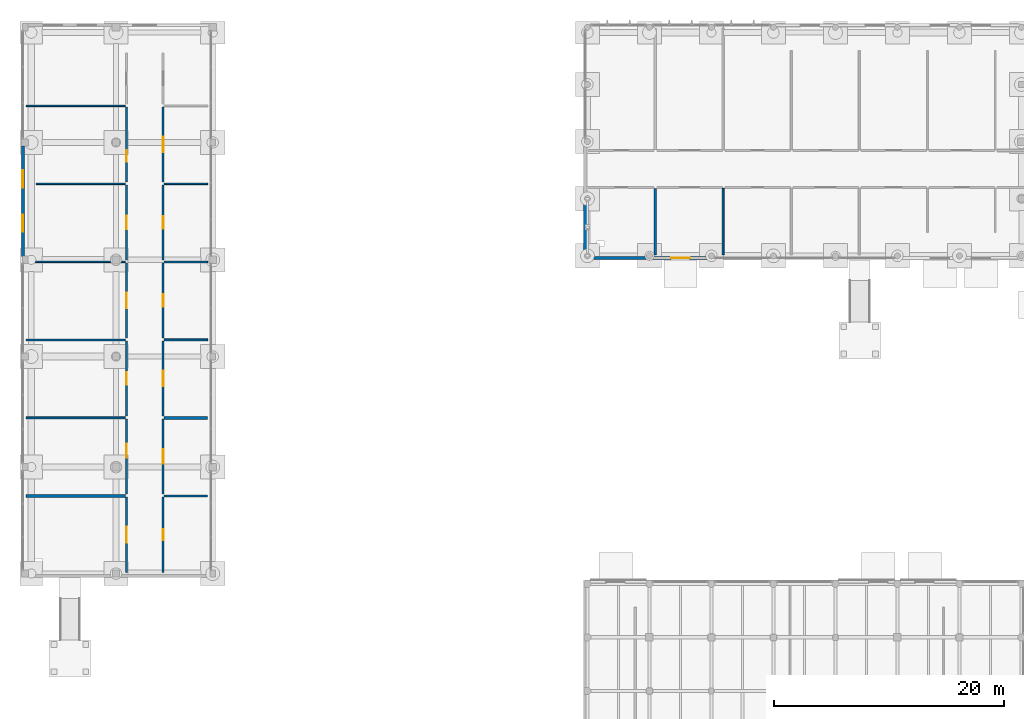
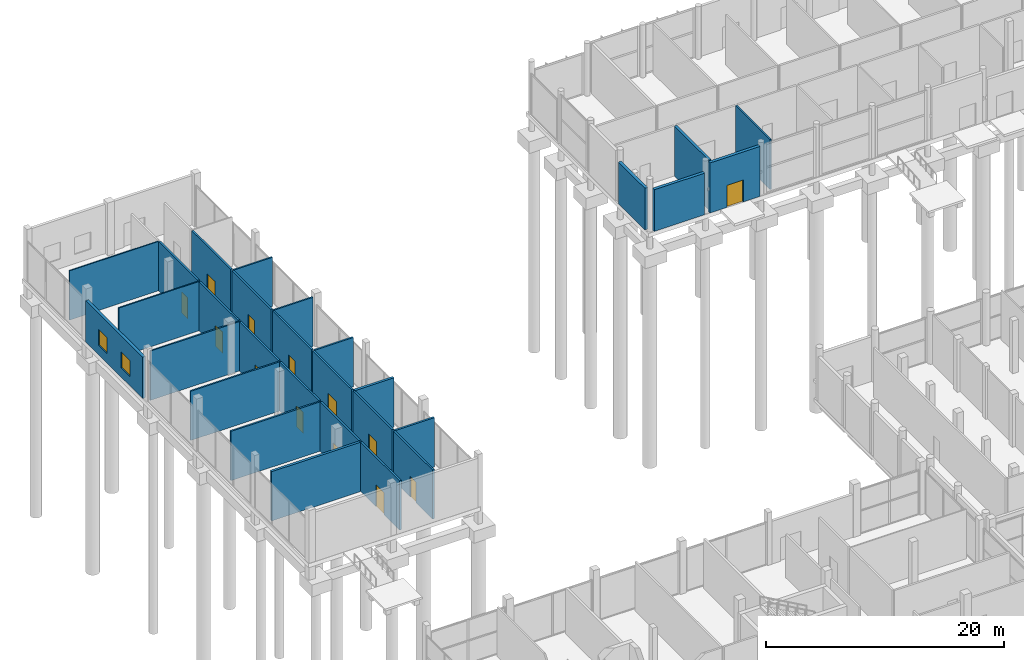
# One storey, part 63 of 88: 29 walls, 13 doors, 2 windows, 15 openings.
"""IFC4 building model written with IfcOpenShell, lengths in metres."""

from ifc_helpers import new_model, si_unit, direction, frame, frame_2d, origin, place, context, subcontext, project, spatial, rectangle, extrude, material, layer, layer_set, type_object, element, fill, save


model = new_model("IFC4")

# Units and contexts
model_context = context("Model", 3, precision=1e-05, world=origin(), true_north=direction((0.0, 1.0)))
body_context = subcontext(model_context, "Body", "Model", "MODEL_VIEW")
ifc_project = project(units=[si_unit("LENGTHUNIT", "METRE"), si_unit("AREAUNIT", "SQUARE_METRE"), si_unit("VOLUMEUNIT", "CUBIC_METRE"), si_unit("PLANEANGLEUNIT", "RADIAN"), si_unit("MASSUNIT", "GRAM", prefix="KILO")], contexts=[model_context])

# Site, building, storey
site_placement = place(None, origin())
site = spatial("IfcSite", under=ifc_project, at=site_placement, CompositionType="ELEMENT")
building_placement = place(site_placement, origin())
building = spatial("IfcBuilding", under=site, at=building_placement, Name="Birchvale Park Specialist Clinic", CompositionType="ELEMENT")
storey_placement = place(building_placement, origin())
storey = spatial("IfcBuildingStorey", under=building, at=storey_placement, Name="L00", CompositionType="ELEMENT", Elevation=0.0)

# Wall
ifc_material_1 = material(Name="Lime-white mineral-rendered insulated masonry", Category="masonry")
ifc_layer_1 = layer(ifc_material_1, 0.2900390625)
ifc_layer_set_1 = layer_set([ifc_layer_1], Name="Lime-white mineral-rendered insulated masonry")
wall_type_1 = type_object("IfcWallType", Name="WL-EW-03", PredefinedType="STANDARD", material=ifc_layer_set_1)
wall_1_placement = place(storey_placement, frame((52.405029296875, 91.364990234375, 0.0), z_axis=(0.0, 0.0, 1.0), x_axis=(1.0, 0.0, 0.0)))
element("IfcWall", 1, at=wall_1_placement, inside=storey, type_object=wall_type_1, Name="V3 L00 exterior facade wall 50", PredefinedType="STANDARD", context=body_context, shape_type="SweptSolid", body=[
    extrude(rectangle(XDim=4.875732421875, YDim=0.2900390625, at=frame_2d((2.43798828125, 0.0))), origin(), (0.0, 0.0, 1.0), 4.264892578125),
])

# Wall, opening, door
wall_2_placement = place(storey_placement, frame((57.790771484375, 91.364990234375, 0.0), z_axis=(0.0, 0.0, 1.0), x_axis=(1.0, 0.0, 0.0)))
wall_2 = element("IfcWall", 2, at=wall_2_placement, inside=storey, type_object=wall_type_1, Name="V3 L00 exterior facade wall 51", PredefinedType="STANDARD", context=body_context, shape_type="SweptSolid", body=[
    extrude(rectangle(XDim=4.875732421875, YDim=0.2900390625, at=frame_2d((2.43798828125, 0.0))), origin(), (0.0, 0.0, 1.0), 5.125),
])
opening_1_placement = place(wall_2_placement, frame((1.637939453125, 0.0, 0.0)))
opening_1 = element("IfcOpeningElement", 3, at=opening_1_placement, cuts=wall_2, Name="Opening ED-04", PredefinedType="OPENING", context=body_context, shape_type="SweptSolid", body=[
    extrude(rectangle(XDim=1.60009765625, YDim=2.25, at=frame_2d((0.800048828125, 1.125))), frame((0.0, 0.155029296875, 0.0), z_axis=(0.0, -1.0, 0.0), x_axis=(1.0, 0.0, 0.0)), (0.0, 0.0, 1.0), 0.31005859375),
])
ifc_material_2 = material(Name="Powder-coated aluminium and laminated safety glass", Category="aluminium")
door_type_1 = type_object("IfcDoorType", Name="DR-ED-04", OperationType="DOUBLE_DOOR_SINGLE_SWING", PredefinedType="DOOR", material=ifc_material_2)
door_1_placement = place(opening_1_placement, frame((1.60009765625, 0.0, 0.0), z_axis=(0.0, 0.0, 1.0), x_axis=(-1.0, 0.0, 0.0)))
door_1 = element("IfcDoor", 4, at=door_1_placement, inside=storey, type_object=door_type_1, Name="L00 V3 final exit double door 14", OperationType="DOUBLE_DOOR_SINGLE_SWING", OverallHeight=2.25, OverallWidth=1.60009765625, PredefinedType="DOOR", context=body_context, shape_type="SweptSolid", body=[
    extrude(rectangle(XDim=1.60009765625, YDim=2.25, at=frame_2d((0.800048828125, 1.125))), frame((0.0, 0.02490234375, 0.0), z_axis=(0.0, -1.0, 0.0), x_axis=(1.0, 0.0, 0.0)), (0.0, 0.0, 1.0), 0.050048828125),
])
fill(opening_1, door_1)

# Wall
wall_3_placement = place(storey_placement, frame((51.965087890625, 96.257568359375, 0.0), z_axis=(0.0, 0.0, 1.0), x_axis=(0.0, -1.0, 0.0)))
element("IfcWall", 5, at=wall_3_placement, inside=storey, type_object=wall_type_1, Name="V3 L00 exterior facade wall 62", PredefinedType="STANDARD", context=body_context, shape_type="SweptSolid", body=[
    extrude(rectangle(XDim=4.45263671875, YDim=0.2900390625, at=frame_2d((2.226318359375, 0.0))), origin(), (0.0, 0.0, 1.0), 4.264892578125),
])

# Wall, openings, windows
ifc_layer_2 = layer(ifc_material_1, 0.27001953125)
ifc_layer_set_2 = layer_set([ifc_layer_2], Name="Lime-white mineral-rendered insulated masonry")
wall_type_2 = type_object("IfcWallType", Name="WL-EW-04", PredefinedType="STANDARD", material=ifc_layer_set_2)
wall_4_placement = place(storey_placement, frame((3.10498046875, 101.090087890625, 0.0), z_axis=(0.0, 0.0, 1.0), x_axis=(0.0, -1.0, 0.0)))
wall_4 = element("IfcWall", 6, at=wall_4_placement, inside=storey, type_object=wall_type_2, Name="V2 L00 exterior facade wall 49", PredefinedType="STANDARD", context=body_context, shape_type="SweptSolid", body=[
    extrude(rectangle(XDim=9.580078125, YDim=0.27001953125, at=frame_2d((4.7900390625, 0.0))), origin(), (0.0, 0.0, 1.0), 4.235107421875),
])
opening_2_placement = place(wall_4_placement, frame((2.1240234375, 0.0, 0.949951171875)))
opening_2 = element("IfcOpeningElement", 7, at=opening_2_placement, cuts=wall_4, Name="Opening W-CL03", PredefinedType="OPENING", context=body_context, shape_type="SweptSolid", body=[
    extrude(rectangle(XDim=1.5, YDim=1.64990234375, at=frame_2d((0.75, 0.824951171875))), frame((0.0, 0.14501953125, 0.0), z_axis=(0.0, -1.0, 0.0), x_axis=(1.0, 0.0, 0.0)), (0.0, 0.0, 1.0), 0.2900390625),
])
opening_3_placement = place(wall_4_placement, frame((5.9560546875, 0.0, 0.949951171875)))
opening_3 = element("IfcOpeningElement", 8, at=opening_3_placement, cuts=wall_4, Name="Opening W-CL03", PredefinedType="OPENING", context=body_context, shape_type="SweptSolid", body=[
    extrude(rectangle(XDim=1.5, YDim=1.64990234375, at=frame_2d((0.75, 0.824951171875))), frame((0.0, 0.14501953125, 0.0), z_axis=(0.0, -1.0, 0.0), x_axis=(1.0, 0.0, 0.0)), (0.0, 0.0, 1.0), 0.2900390625),
])
ifc_material_3 = material(Name="Solar-control low-E double glazing", Category="glass")
window_type = type_object("IfcWindowType", Name="WIN-W-CL03", PartitioningType="SINGLE_PANEL", PredefinedType="WINDOW", material=ifc_material_3)
window_1_placement = place(opening_2_placement, origin())
window_1 = element("IfcWindow", 9, at=window_1_placement, inside=storey, type_object=window_type, Name="V2 L00 cased window 3", OverallHeight=1.64990234375, OverallWidth=1.5, PartitioningType="SINGLE_PANEL", PredefinedType="WINDOW", context=body_context, shape_type="SweptSolid", body=[
    extrude(rectangle(XDim=1.5, YDim=1.64990234375, at=frame_2d((0.75, 0.824951171875))), frame((0.0, 0.030029296875, 0.0), z_axis=(0.0, -1.0, 0.0), x_axis=(1.0, 0.0, 0.0)), (0.0, 0.0, 1.0), 0.06005859375),
])
fill(opening_2, window_1)
window_2_placement = place(opening_3_placement, origin())
window_2 = element("IfcWindow", 10, at=window_2_placement, inside=storey, type_object=window_type, Name="V2 L00 cased window 4", OverallHeight=1.64990234375, OverallWidth=1.5, PartitioningType="SINGLE_PANEL", PredefinedType="WINDOW", context=body_context, shape_type="SweptSolid", body=[
    extrude(rectangle(XDim=1.5, YDim=1.64990234375, at=frame_2d((0.75, 0.824951171875))), frame((0.0, 0.030029296875, 0.0), z_axis=(0.0, -1.0, 0.0), x_axis=(1.0, 0.0, 0.0)), (0.0, 0.0, 1.0), 0.06005859375),
])
fill(opening_3, window_2)

# Walls
ifc_material_4 = material(Name="Acoustic gypsum board on metal framing")
ifc_layer_3 = layer(ifc_material_4, 0.1650390625)
ifc_layer_set_3 = layer_set([ifc_layer_3], Name="Acoustic gypsum board on metal framing")
wall_type_3 = type_object("IfcWallType", Name="WL-IW-01", PredefinedType="PARTITIONING", material=ifc_layer_set_3)
wall_5_placement = place(storey_placement, frame((3.389892578125, 77.471435546875, 0.0), z_axis=(0.0, 0.0, 1.0), x_axis=(1.0, 0.0, 0.0)))
element("IfcWall", 11, at=wall_5_placement, inside=storey, type_object=wall_type_3, Name="V2 L00 clinical partition 120", PredefinedType="PARTITIONING", context=body_context, shape_type="SweptSolid", body=[
    extrude(rectangle(XDim=8.630126953125, YDim=0.1650390625, at=frame_2d((4.31494140625, 0.0))), origin(), (0.0, 0.0, 1.0), 5.050048828125),
])
wall_6_placement = place(storey_placement, frame((15.3798828125, 84.2470703125, 0.0), z_axis=(0.0, 0.0, 1.0), x_axis=(1.0, 0.0, 0.0)))
element("IfcWall", 12, at=wall_6_placement, inside=storey, type_object=wall_type_3, Name="V2 L00 clinical partition 136", PredefinedType="PARTITIONING", context=body_context, shape_type="SweptSolid", body=[
    extrude(rectangle(XDim=3.780029296875, YDim=0.1650390625, at=frame_2d((1.89013671875, 0.0))), origin(), (0.0, 0.0, 1.0), 5.050048828125),
])
wall_7_placement = place(storey_placement, frame((63.93994140625, 97.419921875, 0.0), z_axis=(0.0, 0.0, 1.0), x_axis=(0.0, -1.0, 0.0)))
element("IfcWall", 13, at=wall_7_placement, inside=storey, type_object=wall_type_3, Name="V3 L00 clinical partition 147", PredefinedType="PARTITIONING", context=body_context, shape_type="SweptSolid", body=[
    extrude(rectangle(XDim=5.780029296875, YDim=0.1650390625, at=frame_2d((2.89013671875, 0.0))), origin(), (0.0, 0.0, 1.0), 5.125),
])
ifc_layer_4 = layer(ifc_material_4, 0.14990234375)
ifc_layer_set_4 = layer_set([ifc_layer_4], Name="Acoustic gypsum board on metal framing")
wall_type_4 = type_object("IfcWallType", Name="WL-IW-02", PredefinedType="PARTITIONING", material=ifc_layer_set_4)
wall_8_placement = place(storey_placement, frame((3.389892578125, 84.2470703125, 0.0), z_axis=(0.0, 0.0, 1.0), x_axis=(1.0, 0.0, 0.0)))
element("IfcWall", 14, at=wall_8_placement, inside=storey, type_object=wall_type_4, Name="V2 L00 clinical partition 122", PredefinedType="PARTITIONING", context=body_context, shape_type="SweptSolid", body=[
    extrude(rectangle(XDim=8.630126953125, YDim=0.14990234375, at=frame_2d((4.31494140625, 0.0))), origin(), (0.0, 0.0, 1.0), 5.050048828125),
])
wall_9_placement = place(storey_placement, frame((15.3798828125, 91.02294921875, 0.0), z_axis=(0.0, 0.0, 1.0), x_axis=(1.0, 0.0, 0.0)))
element("IfcWall", 15, at=wall_9_placement, inside=storey, type_object=wall_type_4, Name="V2 L00 clinical partition 138", PredefinedType="PARTITIONING", context=body_context, shape_type="SweptSolid", body=[
    extrude(rectangle(XDim=3.780029296875, YDim=0.14990234375, at=frame_2d((1.89013671875, 0.0))), origin(), (0.0, 0.0, 1.0), 5.050048828125),
])
ifc_layer_5 = layer(ifc_material_4, 0.139892578125)
ifc_layer_set_5 = layer_set([ifc_layer_5], Name="Acoustic gypsum board on metal framing")
wall_type_5 = type_object("IfcWallType", Name="WL-IW-03", PredefinedType="PARTITIONING", material=ifc_layer_set_5)
wall_10_placement = place(storey_placement, frame((3.389892578125, 91.02294921875, 0.0), z_axis=(0.0, 0.0, 1.0), x_axis=(1.0, 0.0, 0.0)))
element("IfcWall", 16, at=wall_10_placement, inside=storey, type_object=wall_type_5, Name="V2 L00 clinical partition 124", PredefinedType="PARTITIONING", context=body_context, shape_type="SweptSolid", body=[
    extrude(rectangle(XDim=8.630126953125, YDim=0.139892578125, at=frame_2d((4.31494140625, 0.0))), origin(), (0.0, 0.0, 1.0), 5.050048828125),
])
wall_11_placement = place(storey_placement, frame((15.3798828125, 97.798583984375, 0.0), z_axis=(0.0, 0.0, 1.0), x_axis=(1.0, 0.0, 0.0)))
element("IfcWall", 17, at=wall_11_placement, inside=storey, type_object=wall_type_5, Name="V2 L00 clinical partition 140", PredefinedType="PARTITIONING", context=body_context, shape_type="SweptSolid", body=[
    extrude(rectangle(XDim=3.780029296875, YDim=0.139892578125, at=frame_2d((1.89013671875, 0.0))), origin(), (0.0, 0.0, 1.0), 5.050048828125),
])
ifc_layer_6 = layer(ifc_material_4, 0.125)
ifc_layer_set_6 = layer_set([ifc_layer_6], Name="Acoustic gypsum board on metal framing")
wall_type_6 = type_object("IfcWallType", Name="WL-IW-04", PredefinedType="PARTITIONING", material=ifc_layer_set_6)
wall_12_placement = place(storey_placement, frame((4.2548828125, 97.798583984375, 0.0), z_axis=(0.0, 0.0, 1.0), x_axis=(1.0, 0.0, 0.0)))
element("IfcWall", 18, at=wall_12_placement, inside=storey, type_object=wall_type_6, Name="V2 L00 clinical partition 126", PredefinedType="PARTITIONING", context=body_context, shape_type="SweptSolid", body=[
    extrude(rectangle(XDim=7.76513671875, YDim=0.125, at=frame_2d((3.882568359375, 0.0))), origin(), (0.0, 0.0, 1.0), 5.050048828125),
])
ifc_layer_7 = layer(ifc_material_4, 0.114990234375)
ifc_layer_set_7 = layer_set([ifc_layer_7], Name="Acoustic gypsum board on metal framing")
wall_type_7 = type_object("IfcWallType", Name="WL-IW-05", PredefinedType="PARTITIONING", material=ifc_layer_set_7)
wall_13_placement = place(storey_placement, frame((3.389892578125, 104.57421875, 0.0), z_axis=(0.0, 0.0, 1.0), x_axis=(1.0, 0.0, 0.0)))
element("IfcWall", 19, at=wall_13_placement, inside=storey, type_object=wall_type_7, Name="V2 L00 clinical partition 128", PredefinedType="PARTITIONING", context=body_context, shape_type="SweptSolid", body=[
    extrude(rectangle(XDim=8.630126953125, YDim=0.114990234375, at=frame_2d((4.31494140625, 0.0))), origin(), (0.0, 0.0, 1.0), 5.050048828125),
])
ifc_layer_8 = layer(ifc_material_4, 0.195068359375)
ifc_layer_set_8 = layer_set([ifc_layer_8], Name="Acoustic gypsum board on metal framing")
wall_type_8 = type_object("IfcWallType", Name="WL-IW-07", PredefinedType="PARTITIONING", material=ifc_layer_set_8)
wall_14_placement = place(storey_placement, frame((15.3798828125, 70.69580078125, 0.0), z_axis=(0.0, 0.0, 1.0), x_axis=(1.0, 0.0, 0.0)))
element("IfcWall", 20, at=wall_14_placement, inside=storey, type_object=wall_type_8, Name="V2 L00 clinical partition 132", PredefinedType="PARTITIONING", context=body_context, shape_type="SweptSolid", body=[
    extrude(rectangle(XDim=3.780029296875, YDim=0.195068359375, at=frame_2d((1.89013671875, 0.0))), origin(), (0.0, 0.0, 1.0), 5.050048828125),
])
ifc_layer_9 = layer(ifc_material_4, 0.239990234375)
ifc_layer_set_9 = layer_set([ifc_layer_9], Name="Acoustic gypsum board on metal framing")
wall_type_9 = type_object("IfcWallType", Name="WL-IW-08", PredefinedType="PARTITIONING", material=ifc_layer_set_9)
wall_15_placement = place(storey_placement, frame((3.389892578125, 70.69580078125, 0.0), z_axis=(0.0, 0.0, 1.0), x_axis=(1.0, 0.0, 0.0)))
element("IfcWall", 21, at=wall_15_placement, inside=storey, type_object=wall_type_9, Name="V2 L00 clinical partition 118", PredefinedType="PARTITIONING", context=body_context, shape_type="SweptSolid", body=[
    extrude(rectangle(XDim=8.630126953125, YDim=0.239990234375, at=frame_2d((4.31494140625, 0.0))), origin(), (0.0, 0.0, 1.0), 5.050048828125),
])
wall_16_placement = place(storey_placement, frame((15.3798828125, 77.471435546875, 0.0), z_axis=(0.0, 0.0, 1.0), x_axis=(1.0, 0.0, 0.0)))
element("IfcWall", 22, at=wall_16_placement, inside=storey, type_object=wall_type_9, Name="V2 L00 clinical partition 134", PredefinedType="PARTITIONING", context=body_context, shape_type="SweptSolid", body=[
    extrude(rectangle(XDim=3.780029296875, YDim=0.239990234375, at=frame_2d((1.89013671875, 0.0))), origin(), (0.0, 0.0, 1.0), 5.050048828125),
])
wall_17_placement = place(storey_placement, frame((58.030029296875, 97.419921875, 0.0), z_axis=(0.0, 0.0, 1.0), x_axis=(0.0, -1.0, 0.0)))
element("IfcWall", 23, at=wall_17_placement, inside=storey, type_object=wall_type_9, Name="V3 L00 clinical partition 145", PredefinedType="PARTITIONING", context=body_context, shape_type="SweptSolid", body=[
    extrude(rectangle(XDim=5.780029296875, YDim=0.239990234375, at=frame_2d((2.89013671875, 0.0))), origin(), (0.0, 0.0, 1.0), 5.125),
])

# Wall, opening, door
ifc_layer_10 = layer(ifc_material_4, 0.179931640625)
ifc_layer_set_10 = layer_set([ifc_layer_10], Name="Acoustic gypsum board on metal framing")
wall_type_10 = type_object("IfcWallType", Name="WL-IW-60", PredefinedType="PARTITIONING", material=ifc_layer_set_10)
wall_18_placement = place(storey_placement, frame((12.10009765625, 70.61572265625, 0.0), z_axis=(0.0, 0.0, 1.0), x_axis=(0.0, -1.0, 0.0)))
wall_18 = element("IfcWall", 24, at=wall_18_placement, inside=storey, type_object=wall_type_10, Name="V2 L00 clinical partition 119", PredefinedType="PARTITIONING", context=body_context, shape_type="SweptSolid", body=[
    extrude(rectangle(XDim=6.57568359375, YDim=0.179931640625, at=frame_2d((3.287841796875, 0.0))), origin(), (0.0, 0.0, 1.0), 5.050048828125),
])
opening_4_placement = place(wall_18_placement, frame((2.597900390625, 0.0, 0.0)))
opening_4 = element("IfcOpeningElement", 25, at=opening_4_placement, cuts=wall_18, Name="Opening ID-06", PredefinedType="OPENING", context=body_context, shape_type="SweptSolid", body=[
    extrude(rectangle(XDim=1.3798828125, YDim=2.25, at=frame_2d((0.68994140625, 1.125))), frame((0.0, 0.10009765625, 0.0), z_axis=(0.0, -1.0, 0.0), x_axis=(1.0, 0.0, 0.0)), (0.0, 0.0, 1.0), 0.199951171875),
])
ifc_material_5 = material(Name="Solid-core birch veneer and anodised aluminium", Category="aluminium")
door_type_2 = type_object("IfcDoorType", Name="DR-ID-06", OperationType="NOTDEFINED", PredefinedType="DOOR", material=ifc_material_5)
door_2_placement = place(opening_4_placement, origin())
door_2 = element("IfcDoor", 26, at=door_2_placement, inside=storey, type_object=door_type_2, Name="L00 Outpatient Rehabilitation Clinic door", OperationType="SINGLE_SWING_RIGHT", OverallHeight=2.25, OverallWidth=1.3798828125, PredefinedType="DOOR", context=body_context, shape_type="SweptSolid", body=[
    extrude(rectangle(XDim=1.3798828125, YDim=2.25, at=frame_2d((0.68994140625, 1.125))), frame((0.0, 0.02490234375, 0.0), z_axis=(0.0, -1.0, 0.0), x_axis=(1.0, 0.0, 0.0)), (0.0, 0.0, 1.0), 0.050048828125),
])
fill(opening_4, door_2)

wall_19_placement = place(storey_placement, frame((12.10009765625, 77.391357421875, 0.0), z_axis=(0.0, 0.0, 1.0), x_axis=(0.0, -1.0, 0.0)))
wall_19 = element("IfcWall", 27, at=wall_19_placement, inside=storey, type_object=wall_type_10, Name="V2 L00 clinical partition 121", PredefinedType="PARTITIONING", context=body_context, shape_type="SweptSolid", body=[
    extrude(rectangle(XDim=6.53564453125, YDim=0.179931640625, at=frame_2d((3.267822265625, 0.0))), origin(), (0.0, 0.0, 1.0), 5.050048828125),
])
opening_5_placement = place(wall_19_placement, frame((2.157958984375, 0.0, 0.0)))
opening_5 = element("IfcOpeningElement", 28, at=opening_5_placement, cuts=wall_19, Name="Opening ID-10", PredefinedType="OPENING", context=body_context, shape_type="SweptSolid", body=[
    extrude(rectangle(XDim=1.219970703125, YDim=2.179931640625, at=frame_2d((0.60986328125, 1.08984375))), frame((0.0, 0.10009765625, 0.0), z_axis=(0.0, -1.0, 0.0), x_axis=(1.0, 0.0, 0.0)), (0.0, 0.0, 1.0), 0.199951171875),
])
door_type_3 = type_object("IfcDoorType", Name="DR-ID-10", OperationType="NOTDEFINED", PredefinedType="DOOR", material=ifc_material_5)
door_3_placement = place(opening_5_placement, origin())
door_3 = element("IfcDoor", 29, at=door_3_placement, inside=storey, type_object=door_type_3, Name="L00 Neurology Examination Clinic door", OperationType="SINGLE_SWING_LEFT", OverallHeight=2.179931640625, OverallWidth=1.219970703125, PredefinedType="DOOR", context=body_context, shape_type="SweptSolid", body=[
    extrude(rectangle(XDim=1.219970703125, YDim=2.179931640625, at=frame_2d((0.60986328125, 1.08984375))), frame((0.0, 0.02490234375, 0.0), z_axis=(0.0, -1.0, 0.0), x_axis=(1.0, 0.0, 0.0)), (0.0, 0.0, 1.0), 0.050048828125),
])
fill(opening_5, door_3)

wall_20_placement = place(storey_placement, frame((12.10009765625, 84.1669921875, 0.0), z_axis=(0.0, 0.0, 1.0), x_axis=(0.0, -1.0, 0.0)))
wall_20 = element("IfcWall", 30, at=wall_20_placement, inside=storey, type_object=wall_type_10, Name="V2 L00 clinical partition 123", PredefinedType="PARTITIONING", context=body_context, shape_type="SweptSolid", body=[
    extrude(rectangle(XDim=6.53564453125, YDim=0.179931640625, at=frame_2d((3.267822265625, 0.0))), origin(), (0.0, 0.0, 1.0), 5.050048828125),
])
opening_6_placement = place(wall_20_placement, frame((2.7080078125, 0.0, 0.0)))
opening_6 = element("IfcOpeningElement", 31, at=opening_6_placement, cuts=wall_20, Name="Opening ID-11", PredefinedType="OPENING", context=body_context, shape_type="SweptSolid", body=[
    extrude(rectangle(XDim=1.1201171875, YDim=2.159912109375, at=frame_2d((0.56005859375, 1.080078125))), frame((0.0, 0.10009765625, 0.0), z_axis=(0.0, -1.0, 0.0), x_axis=(1.0, 0.0, 0.0)), (0.0, 0.0, 1.0), 0.199951171875),
])
door_type_4 = type_object("IfcDoorType", Name="DR-ID-11", OperationType="NOTDEFINED", PredefinedType="DOOR", material=ifc_material_5)
door_4_placement = place(opening_6_placement, origin())
door_4 = element("IfcDoor", 32, at=door_4_placement, inside=storey, type_object=door_type_4, Name="L00 Cardiology Consultation Suite door", OperationType="SINGLE_SWING_RIGHT", OverallHeight=2.159912109375, OverallWidth=1.1201171875, PredefinedType="DOOR", context=body_context, shape_type="SweptSolid", body=[
    extrude(rectangle(XDim=1.1201171875, YDim=2.159912109375, at=frame_2d((0.56005859375, 1.080078125))), frame((0.0, 0.02490234375, 0.0), z_axis=(0.0, -1.0, 0.0), x_axis=(1.0, 0.0, 0.0)), (0.0, 0.0, 1.0), 0.050048828125),
])
fill(opening_6, door_4)

wall_21_placement = place(storey_placement, frame((12.10009765625, 90.94287109375, 0.0), z_axis=(0.0, 0.0, 1.0), x_axis=(0.0, -1.0, 0.0)))
wall_21 = element("IfcWall", 33, at=wall_21_placement, inside=storey, type_object=wall_type_10, Name="V2 L00 clinical partition 125", PredefinedType="PARTITIONING", context=body_context, shape_type="SweptSolid", body=[
    extrude(rectangle(XDim=6.535888671875, YDim=0.179931640625, at=frame_2d((3.26806640625, 0.0))), origin(), (0.0, 0.0, 1.0), 5.050048828125),
])
opening_7_placement = place(wall_21_placement, frame((2.60791015625, 0.0, 0.0)))
opening_7 = element("IfcOpeningElement", 34, at=opening_7_placement, cuts=wall_21, Name="Opening ID-12", PredefinedType="OPENING", context=body_context, shape_type="SweptSolid", body=[
    extrude(rectangle(XDim=1.320068359375, YDim=2.219970703125, at=frame_2d((0.66015625, 1.10986328125))), frame((0.0, 0.10009765625, 0.0), z_axis=(0.0, -1.0, 0.0), x_axis=(1.0, 0.0, 0.0)), (0.0, 0.0, 1.0), 0.199951171875),
])
door_type_5 = type_object("IfcDoorType", Name="DR-ID-12", OperationType="NOTDEFINED", PredefinedType="DOOR", material=ifc_material_5)
door_5_placement = place(opening_7_placement, origin())
door_5 = element("IfcDoor", 35, at=door_5_placement, inside=storey, type_object=door_type_5, Name="L00 Patient Education Lounge door", OperationType="SINGLE_SWING_LEFT", OverallHeight=2.219970703125, OverallWidth=1.320068359375, PredefinedType="DOOR", context=body_context, shape_type="SweptSolid", body=[
    extrude(rectangle(XDim=1.320068359375, YDim=2.219970703125, at=frame_2d((0.66015625, 1.10986328125))), frame((0.0, 0.02490234375, 0.0), z_axis=(0.0, -1.0, 0.0), x_axis=(1.0, 0.0, 0.0)), (0.0, 0.0, 1.0), 0.050048828125),
])
fill(opening_7, door_5)

wall_22_placement = place(storey_placement, frame((12.10009765625, 97.718505859375, 0.0), z_axis=(0.0, 0.0, 1.0), x_axis=(0.0, -1.0, 0.0)))
wall_22 = element("IfcWall", 36, at=wall_22_placement, inside=storey, type_object=wall_type_10, Name="V2 L00 clinical partition 127", PredefinedType="PARTITIONING", context=body_context, shape_type="SweptSolid", body=[
    extrude(rectangle(XDim=6.53564453125, YDim=0.179931640625, at=frame_2d((3.267822265625, 0.0))), origin(), (0.0, 0.0, 1.0), 5.050048828125),
])
opening_8_placement = place(wall_22_placement, frame((2.677734375, 0.0, 0.0)))
opening_8 = element("IfcOpeningElement", 37, at=opening_8_placement, cuts=wall_22, Name="Opening ID-ST60", PredefinedType="OPENING", context=body_context, shape_type="SweptSolid", body=[
    extrude(rectangle(XDim=1.179931640625, YDim=2.179931640625, at=frame_2d((0.58984375, 1.08984375))), frame((0.0, 0.10009765625, 0.0), z_axis=(0.0, -1.0, 0.0), x_axis=(1.0, 0.0, 0.0)), (0.0, 0.0, 1.0), 0.199951171875),
])
door_type_6 = type_object("IfcDoorType", Name="DR-ID-ST60", OperationType="NOTDEFINED", PredefinedType="DOOR", material=ifc_material_5)
door_6_placement = place(opening_8_placement, origin())
door_6 = element("IfcDoor", 38, at=door_6_placement, inside=storey, type_object=door_type_6, Name="L00 Outpatient Rehabilitation Clinic door", OperationType="SINGLE_SWING_RIGHT", OverallHeight=2.179931640625, OverallWidth=1.179931640625, PredefinedType="DOOR", context=body_context, shape_type="SweptSolid", body=[
    extrude(rectangle(XDim=1.179931640625, YDim=2.179931640625, at=frame_2d((0.58984375, 1.08984375))), frame((0.0, 0.02490234375, 0.0), z_axis=(0.0, -1.0, 0.0), x_axis=(1.0, 0.0, 0.0)), (0.0, 0.0, 1.0), 0.050048828125),
])
fill(opening_8, door_6)

wall_23_placement = place(storey_placement, frame((12.10009765625, 104.494384765625, 0.0), z_axis=(0.0, 0.0, 1.0), x_axis=(0.0, -1.0, 0.0)))
wall_23 = element("IfcWall", 39, at=wall_23_placement, inside=storey, type_object=wall_type_10, Name="V2 L00 clinical partition 129", PredefinedType="PARTITIONING", context=body_context, shape_type="SweptSolid", body=[
    extrude(rectangle(XDim=6.535888671875, YDim=0.179931640625, at=frame_2d((3.26806640625, 0.0))), origin(), (0.0, 0.0, 1.0), 5.050048828125),
])
opening_9_placement = place(wall_23_placement, frame((3.767822265625, 0.0, 0.0)))
opening_9 = element("IfcOpeningElement", 40, at=opening_9_placement, cuts=wall_23, Name="Opening ID-01", PredefinedType="OPENING", context=body_context, shape_type="SweptSolid", body=[
    extrude(rectangle(XDim=1.0, YDim=2.14990234375, at=frame_2d((0.5, 1.074951171875))), frame((0.0, 0.10009765625, 0.0), z_axis=(0.0, -1.0, 0.0), x_axis=(1.0, 0.0, 0.0)), (0.0, 0.0, 1.0), 0.199951171875),
])
door_type_7 = type_object("IfcDoorType", Name="DR-ID-01", OperationType="NOTDEFINED", PredefinedType="DOOR", material=ifc_material_5)
door_7_placement = place(opening_9_placement, origin())
door_7 = element("IfcDoor", 41, at=door_7_placement, inside=storey, type_object=door_type_7, Name="L00 Outpatient Rehabilitation Clinic door", OperationType="SINGLE_SWING_LEFT", OverallHeight=2.14990234375, OverallWidth=1.0, PredefinedType="DOOR", context=body_context, shape_type="SweptSolid", body=[
    extrude(rectangle(XDim=1.0, YDim=2.14990234375, at=frame_2d((0.5, 1.074951171875))), frame((0.0, 0.02490234375, 0.0), z_axis=(0.0, -1.0, 0.0), x_axis=(1.0, 0.0, 0.0)), (0.0, 0.0, 1.0), 0.050048828125),
])
fill(opening_9, door_7)

wall_24_placement = place(storey_placement, frame((15.300048828125, 64.0400390625, 0.0), z_axis=(0.0, 0.0, 1.0), x_axis=(0.0, 1.0, 0.0)))
wall_24 = element("IfcWall", 42, at=wall_24_placement, inside=storey, type_object=wall_type_10, Name="V2 L00 clinical partition 131", PredefinedType="PARTITIONING", context=body_context, shape_type="SweptSolid", body=[
    extrude(rectangle(XDim=6.57568359375, YDim=0.179931640625, at=frame_2d((3.287841796875, 0.0))), origin(), (0.0, 0.0, 1.0), 5.050048828125),
])
opening_10_placement = place(wall_24_placement, frame((2.807861328125, 0.0, 0.0)))
opening_10 = element("IfcOpeningElement", 43, at=opening_10_placement, cuts=wall_24, Name="Opening ID-04", PredefinedType="OPENING", context=body_context, shape_type="SweptSolid", body=[
    extrude(rectangle(XDim=0.9599609375, YDim=2.10009765625, at=frame_2d((0.47998046875, 1.050048828125))), frame((0.0, 0.10009765625, 0.0), z_axis=(0.0, -1.0, 0.0), x_axis=(1.0, 0.0, 0.0)), (0.0, 0.0, 1.0), 0.199951171875),
])
door_type_8 = type_object("IfcDoorType", Name="DR-ID-04", OperationType="NOTDEFINED", PredefinedType="DOOR", material=ifc_material_5)
door_8_placement = place(opening_10_placement, origin())
door_8 = element("IfcDoor", 44, at=door_8_placement, inside=storey, type_object=door_type_8, Name="L00 Neurology Examination Clinic door", OperationType="SINGLE_SWING_LEFT", OverallHeight=2.10009765625, OverallWidth=0.9599609375, PredefinedType="DOOR", context=body_context, shape_type="SweptSolid", body=[
    extrude(rectangle(XDim=0.9599609375, YDim=2.10009765625, at=frame_2d((0.47998046875, 1.050048828125))), frame((0.0, 0.02490234375, 0.0), z_axis=(0.0, -1.0, 0.0), x_axis=(1.0, 0.0, 0.0)), (0.0, 0.0, 1.0), 0.050048828125),
])
fill(opening_10, door_8)

wall_25_placement = place(storey_placement, frame((15.300048828125, 70.855712890625, 0.0), z_axis=(0.0, 0.0, 1.0), x_axis=(0.0, 1.0, 0.0)))
wall_25 = element("IfcWall", 45, at=wall_25_placement, inside=storey, type_object=wall_type_10, Name="V2 L00 clinical partition 133", PredefinedType="PARTITIONING", context=body_context, shape_type="SweptSolid", body=[
    extrude(rectangle(XDim=6.53564453125, YDim=0.179931640625, at=frame_2d((3.267822265625, 0.0))), origin(), (0.0, 0.0, 1.0), 5.050048828125),
])
opening_11_placement = place(wall_25_placement, frame((2.6279296875, 0.0, 0.0)))
opening_11 = element("IfcOpeningElement", 46, at=opening_11_placement, cuts=wall_25, Name="Opening ID-05", PredefinedType="OPENING", context=body_context, shape_type="SweptSolid", body=[
    extrude(rectangle(XDim=1.280029296875, YDim=2.25, at=frame_2d((0.64013671875, 1.125))), frame((0.0, 0.10009765625, 0.0), z_axis=(0.0, -1.0, 0.0), x_axis=(1.0, 0.0, 0.0)), (0.0, 0.0, 1.0), 0.199951171875),
])
door_type_9 = type_object("IfcDoorType", Name="DR-ID-05", OperationType="NOTDEFINED", PredefinedType="DOOR", material=ifc_material_5)
door_9_placement = place(opening_11_placement, origin())
door_9 = element("IfcDoor", 47, at=door_9_placement, inside=storey, type_object=door_type_9, Name="L00 Cardiology Consultation Suite door", OperationType="SINGLE_SWING_RIGHT", OverallHeight=2.25, OverallWidth=1.280029296875, PredefinedType="DOOR", context=body_context, shape_type="SweptSolid", body=[
    extrude(rectangle(XDim=1.280029296875, YDim=2.25, at=frame_2d((0.64013671875, 1.125))), frame((0.0, 0.02490234375, 0.0), z_axis=(0.0, -1.0, 0.0), x_axis=(1.0, 0.0, 0.0)), (0.0, 0.0, 1.0), 0.050048828125),
])
fill(opening_11, door_9)

wall_26_placement = place(storey_placement, frame((15.300048828125, 77.63134765625, 0.0), z_axis=(0.0, 0.0, 1.0), x_axis=(0.0, 1.0, 0.0)))
wall_26 = element("IfcWall", 48, at=wall_26_placement, inside=storey, type_object=wall_type_10, Name="V2 L00 clinical partition 135", PredefinedType="PARTITIONING", context=body_context, shape_type="SweptSolid", body=[
    extrude(rectangle(XDim=6.53564453125, YDim=0.179931640625, at=frame_2d((3.267822265625, 0.0))), origin(), (0.0, 0.0, 1.0), 5.050048828125),
])
opening_12_placement = place(wall_26_placement, frame((2.577880859375, 0.0, 0.0)))
opening_12 = element("IfcOpeningElement", 49, at=opening_12_placement, cuts=wall_26, Name="Opening ID-06", PredefinedType="OPENING", context=body_context, shape_type="SweptSolid", body=[
    extrude(rectangle(XDim=1.3798828125, YDim=2.25, at=frame_2d((0.68994140625, 1.125))), frame((0.0, 0.10009765625, 0.0), z_axis=(0.0, -1.0, 0.0), x_axis=(1.0, 0.0, 0.0)), (0.0, 0.0, 1.0), 0.199951171875),
])
door_10_placement = place(opening_12_placement, origin())
door_10 = element("IfcDoor", 50, at=door_10_placement, inside=storey, type_object=door_type_2, Name="L00 Patient Education Lounge door", OperationType="SINGLE_SWING_LEFT", OverallHeight=2.25, OverallWidth=1.3798828125, PredefinedType="DOOR", context=body_context, shape_type="SweptSolid", body=[
    extrude(rectangle(XDim=1.3798828125, YDim=2.25, at=frame_2d((0.68994140625, 1.125))), frame((0.0, 0.02490234375, 0.0), z_axis=(0.0, -1.0, 0.0), x_axis=(1.0, 0.0, 0.0)), (0.0, 0.0, 1.0), 0.050048828125),
])
fill(opening_12, door_10)

wall_27_placement = place(storey_placement, frame((15.300048828125, 84.406982421875, 0.0), z_axis=(0.0, 0.0, 1.0), x_axis=(0.0, 1.0, 0.0)))
wall_27 = element("IfcWall", 51, at=wall_27_placement, inside=storey, type_object=wall_type_10, Name="V2 L00 clinical partition 137", PredefinedType="PARTITIONING", context=body_context, shape_type="SweptSolid", body=[
    extrude(rectangle(XDim=6.535888671875, YDim=0.179931640625, at=frame_2d((3.26806640625, 0.0))), origin(), (0.0, 0.0, 1.0), 5.050048828125),
])
opening_13_placement = place(wall_27_placement, frame((2.727783203125, 0.0, 0.0)))
opening_13 = element("IfcOpeningElement", 52, at=opening_13_placement, cuts=wall_27, Name="Opening ID-03", PredefinedType="OPENING", context=body_context, shape_type="SweptSolid", body=[
    extrude(rectangle(XDim=1.080078125, YDim=2.199951171875, at=frame_2d((0.5400390625, 1.10009765625))), frame((0.0, 0.10009765625, 0.0), z_axis=(0.0, -1.0, 0.0), x_axis=(1.0, 0.0, 0.0)), (0.0, 0.0, 1.0), 0.199951171875),
])
door_type_10 = type_object("IfcDoorType", Name="DR-ID-03", OperationType="NOTDEFINED", PredefinedType="DOOR", material=ifc_material_5)
door_11_placement = place(opening_13_placement, origin())
door_11 = element("IfcDoor", 53, at=door_11_placement, inside=storey, type_object=door_type_10, Name="L00 Accessible Patient WC door", OperationType="SINGLE_SWING_RIGHT", OverallHeight=2.199951171875, OverallWidth=1.080078125, PredefinedType="DOOR", context=body_context, shape_type="SweptSolid", body=[
    extrude(rectangle(XDim=1.080078125, YDim=2.199951171875, at=frame_2d((0.5400390625, 1.10009765625))), frame((0.0, 0.02490234375, 0.0), z_axis=(0.0, -1.0, 0.0), x_axis=(1.0, 0.0, 0.0)), (0.0, 0.0, 1.0), 0.050048828125),
])
fill(opening_13, door_11)

wall_28_placement = place(storey_placement, frame((15.300048828125, 91.182861328125, 0.0), z_axis=(0.0, 0.0, 1.0), x_axis=(0.0, 1.0, 0.0)))
wall_28 = element("IfcWall", 54, at=wall_28_placement, inside=storey, type_object=wall_type_10, Name="V2 L00 clinical partition 139", PredefinedType="PARTITIONING", context=body_context, shape_type="SweptSolid", body=[
    extrude(rectangle(XDim=6.53564453125, YDim=0.179931640625, at=frame_2d((3.267822265625, 0.0))), origin(), (0.0, 0.0, 1.0), 5.050048828125),
])
opening_14_placement = place(wall_28_placement, frame((2.727783203125, 0.0, 0.0)))
opening_14 = element("IfcOpeningElement", 55, at=opening_14_placement, cuts=wall_28, Name="Opening ID-03", PredefinedType="OPENING", context=body_context, shape_type="SweptSolid", body=[
    extrude(rectangle(XDim=1.080078125, YDim=2.199951171875, at=frame_2d((0.5400390625, 1.10009765625))), frame((0.0, 0.10009765625, 0.0), z_axis=(0.0, -1.0, 0.0), x_axis=(1.0, 0.0, 0.0)), (0.0, 0.0, 1.0), 0.199951171875),
])
door_12_placement = place(opening_14_placement, origin())
door_12 = element("IfcDoor", 56, at=door_12_placement, inside=storey, type_object=door_type_10, Name="L00 Accessible Staff WC door", OperationType="SINGLE_SWING_LEFT", OverallHeight=2.199951171875, OverallWidth=1.080078125, PredefinedType="DOOR", context=body_context, shape_type="SweptSolid", body=[
    extrude(rectangle(XDim=1.080078125, YDim=2.199951171875, at=frame_2d((0.5400390625, 1.10009765625))), frame((0.0, 0.02490234375, 0.0), z_axis=(0.0, -1.0, 0.0), x_axis=(1.0, 0.0, 0.0)), (0.0, 0.0, 1.0), 0.050048828125),
])
fill(opening_14, door_12)

wall_29_placement = place(storey_placement, frame((15.300048828125, 97.95849609375, 0.0), z_axis=(0.0, 0.0, 1.0), x_axis=(0.0, 1.0, 0.0)))
wall_29 = element("IfcWall", 57, at=wall_29_placement, inside=storey, type_object=wall_type_10, Name="V2 L00 clinical partition 141", PredefinedType="PARTITIONING", context=body_context, shape_type="SweptSolid", body=[
    extrude(rectangle(XDim=6.535888671875, YDim=0.179931640625, at=frame_2d((3.26806640625, 0.0))), origin(), (0.0, 0.0, 1.0), 5.050048828125),
])
opening_15_placement = place(wall_29_placement, frame((2.60791015625, 0.0, 0.0)))
opening_15 = element("IfcOpeningElement", 58, at=opening_15_placement, cuts=wall_29, Name="Opening ID-12", PredefinedType="OPENING", context=body_context, shape_type="SweptSolid", body=[
    extrude(rectangle(XDim=1.320068359375, YDim=2.219970703125, at=frame_2d((0.66015625, 1.10986328125))), frame((0.0, 0.10009765625, 0.0), z_axis=(0.0, -1.0, 0.0), x_axis=(1.0, 0.0, 0.0)), (0.0, 0.0, 1.0), 0.199951171875),
])
door_13_placement = place(opening_15_placement, origin())
door_13 = element("IfcDoor", 59, at=door_13_placement, inside=storey, type_object=door_type_5, Name="L00 Outpatient Rehabilitation Clinic door", OperationType="SINGLE_SWING_RIGHT", OverallHeight=2.219970703125, OverallWidth=1.320068359375, PredefinedType="DOOR", context=body_context, shape_type="SweptSolid", body=[
    extrude(rectangle(XDim=1.320068359375, YDim=2.219970703125, at=frame_2d((0.66015625, 1.10986328125))), frame((0.0, 0.02490234375, 0.0), z_axis=(0.0, -1.0, 0.0), x_axis=(1.0, 0.0, 0.0)), (0.0, 0.0, 1.0), 0.050048828125),
])
fill(opening_15, door_13)

save(model, "model.ifc")
